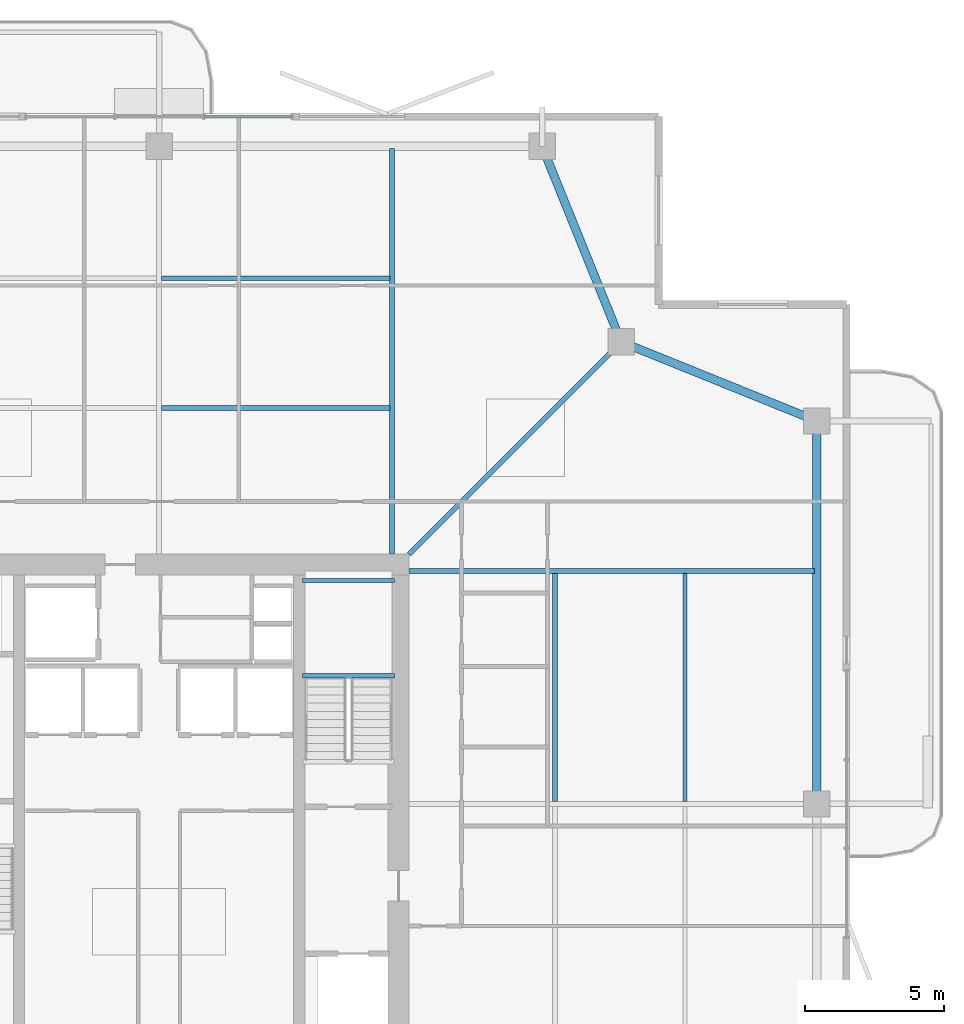
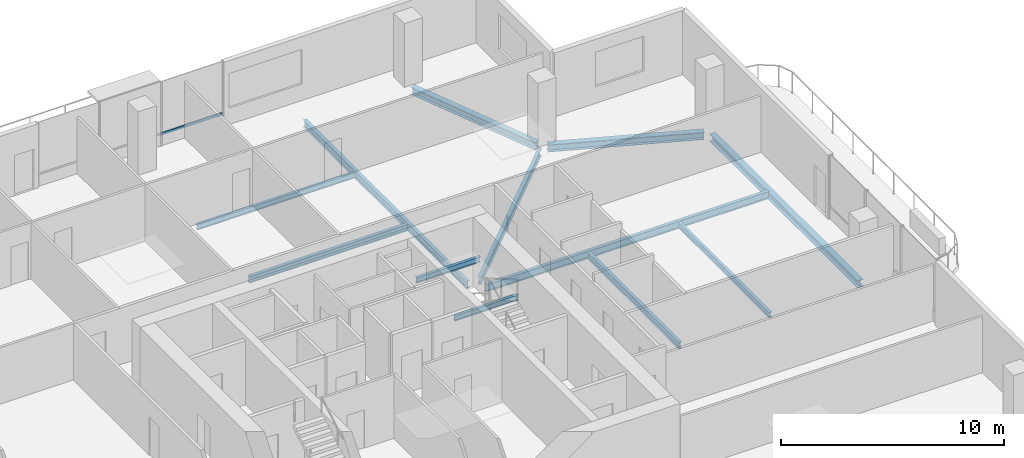
# One storey, part 14 of 25: 12 beams, 1 member, 1 element without a shape of its own.
"""IFC4 building model written with IfcOpenShell, lengths in metres."""

from ifc_helpers import new_model, si_unit, direction, frame, origin, origin_2d, place, context, subcontext, project, spatial, hollow_rectangle, i_section, extrude, material, layer, layer_set, material_profile, profile_set, type_object, element, aggregate, save


model = new_model("IFC4")

# Units and contexts
model_context = context("Model", 3, precision=1e-05, world=origin(), true_north=direction((0.0, 1.0)))
body_context = subcontext(model_context, "Body", "Model", "MODEL_VIEW")
ifc_project = project(units=[si_unit("LENGTHUNIT", "METRE"), si_unit("AREAUNIT", "SQUARE_METRE"), si_unit("VOLUMEUNIT", "CUBIC_METRE"), si_unit("PLANEANGLEUNIT", "RADIAN"), si_unit("MASSUNIT", "GRAM", prefix="KILO")], contexts=[model_context])

# Site, building, storey
site_placement = place(None, origin())
site = spatial("IfcSite", under=ifc_project, at=site_placement, CompositionType="ELEMENT")
building_placement = place(site_placement, origin())
building = spatial("IfcBuilding", under=site, at=building_placement, Name="Belovzor Exchange Tower", CompositionType="ELEMENT")
storey_placement = place(building_placement, frame((0.0, 0.0, 269.10009765625)))
storey = spatial("IfcBuildingStorey", under=building, at=storey_placement, Name="L67", CompositionType="ELEMENT", Elevation=269.10009765625)

# Beams
ifc_material_1 = material(Name="Steel S355", Category="steel")
ifc_material_profile_1 = material_profile(ifc_material_1, i_section(OverallWidth=0.169921875, OverallDepth=0.360107421875, WebThickness=0.008056640625, FlangeThickness=0.0126953125, at=origin_2d()))
ifc_profile_set_1 = profile_set([ifc_material_profile_1], Name="Steel S355")
beam_type_1 = type_object("IfcBeamType", Name="Secondary Infill Floor Joist IPE 360", PredefinedType="BEAM", material=ifc_profile_set_1)
for number, where, z_axis, x_axis, name in (
    (1, (28.889892578125, 43.06494140625, -0.43017578125), (1.0, 0.0, 0.0), (0.0, 1.0, 0.0), "FJ-360 Secondary Infill Floor Joist IPE 360"),
    (2, (43.06494140625, 28.889892578125, -0.43017578125), (0.0, 1.0, 0.0), (-1.0, 0.0, 0.0), "FJ-360 Secondary Infill Floor Joist IPE 360"),
):
    element("IfcBeam", number, at=place(storey_placement, frame(where, z_axis=z_axis, x_axis=x_axis)), inside=storey, type_object=beam_type_1, Name=name, PredefinedType="BEAM", context=body_context, shape_type="SweptSolid", body=[
        extrude(i_section(OverallWidth=0.169921875, OverallDepth=0.360107421875, WebThickness=0.008056640625, FlangeThickness=0.0126953125, at=origin_2d()), origin(), (0.0, 0.0, 1.0), 8.22021484375),
    ])
ifc_material_2 = material(Name="Steel S355", Category="steel")
ifc_material_profile_2 = material_profile(ifc_material_2, i_section(OverallWidth=0.14990234375, OverallDepth=0.300048828125, WebThickness=0.007080078125, FlangeThickness=0.0107421875, at=origin_2d()))
ifc_profile_set_2 = profile_set([ifc_material_profile_2], Name="Steel S355")
beam_type_2 = type_object("IfcBeamType", Name="Secondary Trim Floor Joist IPE 300", PredefinedType="BEAM", material=ifc_profile_set_2)
for number, where, z_axis, x_axis, name in (
    (3, (37.280029296875, 33.419921875, 1.52490234375), (-1.0, 0.0, 0.0), (0.0, -1.0, 0.0), "FJ-300 Secondary Trim Floor Joist IPE 300"),
    (4, (37.280029296875, 36.85009765625, 1.52490234375), (-1.0, 0.0, 0.0), (0.0, -1.0, 0.0), "FJ-300 Secondary Trim Floor Joist IPE 300"),
):
    element("IfcBeam", number, at=place(storey_placement, frame(where, z_axis=z_axis, x_axis=x_axis)), inside=storey, type_object=beam_type_2, Name=name, PredefinedType="BEAM", context=body_context, shape_type="SweptSolid", body=[
        extrude(i_section(OverallWidth=0.14990234375, OverallDepth=0.300048828125, WebThickness=0.007080078125, FlangeThickness=0.0107421875, at=origin_2d()), origin(), (0.0, 0.0, 1.0), 3.31005859375),
    ])
for number, where, z_axis, x_axis, name in (
    (5, (28.889892578125, 47.7451171875, -0.400146484375), (1.0, 0.0, 0.0), (0.0, 1.0, 0.0), "FJ-300 Secondary Trim Floor Joist IPE 300"),
    (6, (47.7451171875, 28.889892578125, -0.400146484375), (0.0, 1.0, 0.0), (-1.0, 0.0, 0.0), "FJ-300 Secondary Trim Floor Joist IPE 300"),
):
    element("IfcBeam", number, at=place(storey_placement, frame(where, z_axis=z_axis, x_axis=x_axis)), inside=storey, type_object=beam_type_2, Name=name, PredefinedType="BEAM", context=body_context, shape_type="SweptSolid", body=[
        extrude(i_section(OverallWidth=0.14990234375, OverallDepth=0.300048828125, WebThickness=0.007080078125, FlangeThickness=0.0107421875, at=origin_2d()), origin(), (0.0, 0.0, 1.0), 8.22021484375),
    ])

# Curtain wall, member
ifc_material_3 = material(Name="Anodised Aluminium Framing", Category="aluminium")
ifc_layer = layer(ifc_material_3, 0.179931640625)
ifc_layer_set = layer_set([ifc_layer], Name="Anodised Aluminium Framing")
curtain_wall_type = type_object("IfcCurtainWallType", Name="Recessed Loggia Low-Iron Triple-Glazed Curtain Wall", PredefinedType="NOTDEFINED", material=ifc_layer_set)
curtain_wall_placement = place(storey_placement, origin())
curtain_wall = element("IfcCurtainWall", 7, at=curtain_wall_placement, inside=storey, type_object=curtain_wall_type, Name="CW3 Recessed Loggia Low-Iron Triple-Glazed Curtain Wall L67", PredefinedType="NOTDEFINED")
ifc_material_4 = material(Name="Steel S355", Category="steel")
ifc_material_profile_3 = material_profile(ifc_material_4, hollow_rectangle(XDim=0.06005859375, YDim=0.14990234375, WallThickness=0.00390625, at=origin_2d()))
ifc_profile_set_3 = profile_set([ifc_material_profile_3], Name="Steel S355")
member_type = type_object("IfcMemberType", Name="Thermally Broken Curtain Wall Transom 150x60", PredefinedType="USERDEFINED", material=ifc_profile_set_3)
member_placement = place(storey_placement, frame((30.407958984375, 53.570068359375, 0.6298828125), z_axis=(1.0, 0.0, 0.0), x_axis=(0.0, 1.0, 0.0)))
member = element("IfcMember", 8, at=member_placement, type_object=member_type, Name="CW-T150 Curtain Wall Transom 3", ObjectType="TRANSOM", PredefinedType="USERDEFINED", context=body_context, shape_type="SweptSolid", body=[
    extrude(hollow_rectangle(XDim=0.06005859375, YDim=0.14990234375, WallThickness=0.00390625, at=origin_2d()), origin(), (0.0, 0.0, 1.0), 3.18408203125),
])
aggregate(curtain_wall, [member])

# Beams
ifc_material_5 = material(Name="Steel S355", Category="steel")
ifc_material_profile_4 = material_profile(ifc_material_5, i_section(OverallWidth=0.300048828125, OverallDepth=0.39990234375, WebThickness=0.013427734375, FlangeThickness=0.02392578125, at=origin_2d()))
ifc_profile_set_4 = profile_set([ifc_material_profile_4], Name="Steel S355")
beam_type_3 = type_object("IfcBeamType", Name="Zone 5 Primary Girder HEB 400", PredefinedType="BEAM", material=ifc_profile_set_4)
beam_1_placement = place(storey_placement, frame((52.5, 29.06103515625, -0.4501953125), z_axis=(0.0, 1.0, 0.0), x_axis=(-1.0, 0.0, 0.0)))
element("IfcBeam", 9, at=beam_1_placement, inside=storey, type_object=beam_type_3, Name="FG-Z5 Zone 5 Primary Girder HEB 400", PredefinedType="BEAM", context=body_context, shape_type="SweptSolid", body=[
    extrude(i_section(OverallWidth=0.300048828125, OverallDepth=0.39990234375, WebThickness=0.013427734375, FlangeThickness=0.02392578125, at=origin_2d()), origin(), (0.0, 0.0, 1.0), 13.278076171875),
])
for number, where, z_axis, x_axis, name in (
    (10, (52.258056640625, 42.697998046875, -0.4501953125), (-0.927127394661, 0.374746306278, 0.0), (-0.374746306278, -0.927127394661, 0.0), "FG-Z5 Zone 5 Primary Girder HEB 400"),
    (11, (45.35205078125, 45.69189453125, -0.4501953125), (-0.374746306278, 0.927127394661, 0.0), (-0.927127394661, -0.374746306278, 0.0), "FG-Z5 Zone 5 Primary Girder HEB 400"),
):
    element("IfcBeam", number, at=place(storey_placement, frame(where, z_axis=z_axis, x_axis=x_axis)), inside=storey, type_object=beam_type_3, Name=name, PredefinedType="BEAM", context=body_context, shape_type="SweptSolid", body=[
        extrude(i_section(OverallWidth=0.300048828125, OverallDepth=0.39990234375, WebThickness=0.013427734375, FlangeThickness=0.02392578125, at=origin_2d()), origin(), (0.0, 0.0, 1.0), 7.082275390625),
    ])
ifc_material_6 = material(Name="Steel S355", Category="steel")
ifc_material_profile_5 = material_profile(ifc_material_6, i_section(OverallWidth=0.179931640625, OverallDepth=0.39990234375, WebThickness=0.008544921875, FlangeThickness=0.013427734375, at=origin_2d()))
ifc_profile_set_5 = profile_set([ifc_material_profile_5], Name="Steel S355")
beam_type_4 = type_object("IfcBeamType", Name="Zone 5-6 Radial Composite Floor Beam IPE 400", PredefinedType="BEAM", material=ifc_profile_set_5)
for number, where, z_axis, x_axis, name in (
    (12, (37.199951171875, 37.800048828125, -0.4501953125), (0.0, 1.0, 0.0), (-1.0, 0.0, 0.0), "FB-400 Zone 5-6 Radial Composite Floor Beam IPE 400"),
    (13, (37.800048828125, 37.199951171875, -0.4501953125), (1.0, 0.0, 0.0), (0.0, 1.0, 0.0), "FB-400 Zone 5-6 Radial Composite Floor Beam IPE 400"),
):
    element("IfcBeam", number, at=place(storey_placement, frame(where, z_axis=z_axis, x_axis=x_axis)), inside=storey, type_object=beam_type_4, Name=name, PredefinedType="BEAM", context=body_context, shape_type="SweptSolid", body=[
        extrude(i_section(OverallWidth=0.179931640625, OverallDepth=0.39990234375, WebThickness=0.008544921875, FlangeThickness=0.013427734375, at=origin_2d()), origin(), (0.0, 0.0, 1.0), 14.625),
    ])
beam_2_placement = place(storey_placement, frame((37.800048828125, 37.800048828125, -0.4501953125), z_axis=(0.707106781187, 0.707106781187, 0.0), x_axis=(-0.707106781187, 0.707106781187, 0.0)))
element("IfcBeam", 14, at=beam_2_placement, inside=storey, type_object=beam_type_4, Name="FB-400 Zone 5-6 Radial Composite Floor Beam IPE 400", PredefinedType="BEAM", context=body_context, shape_type="SweptSolid", body=[
    extrude(i_section(OverallWidth=0.179931640625, OverallDepth=0.39990234375, WebThickness=0.008544921875, FlangeThickness=0.013427734375, at=origin_2d()), origin(), (0.0, 0.0, 1.0), 10.4833984375),
])

save(model, "model.ifc")
